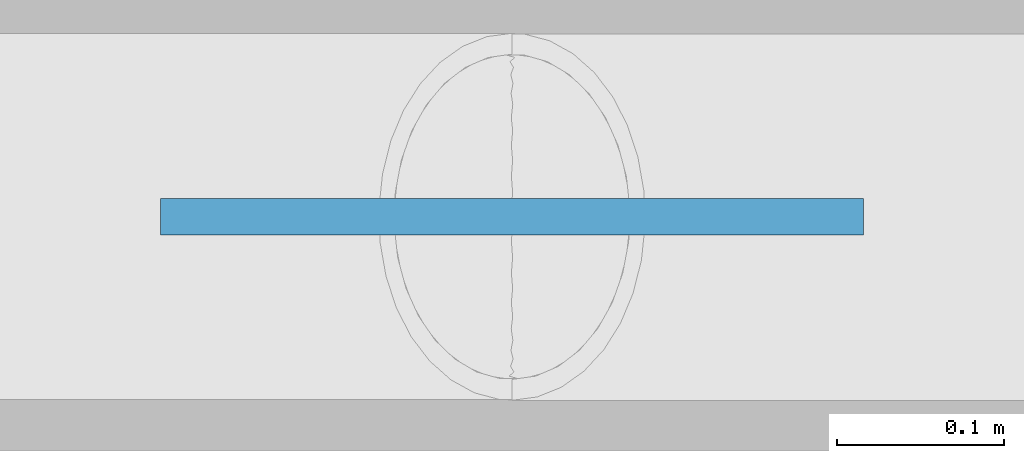
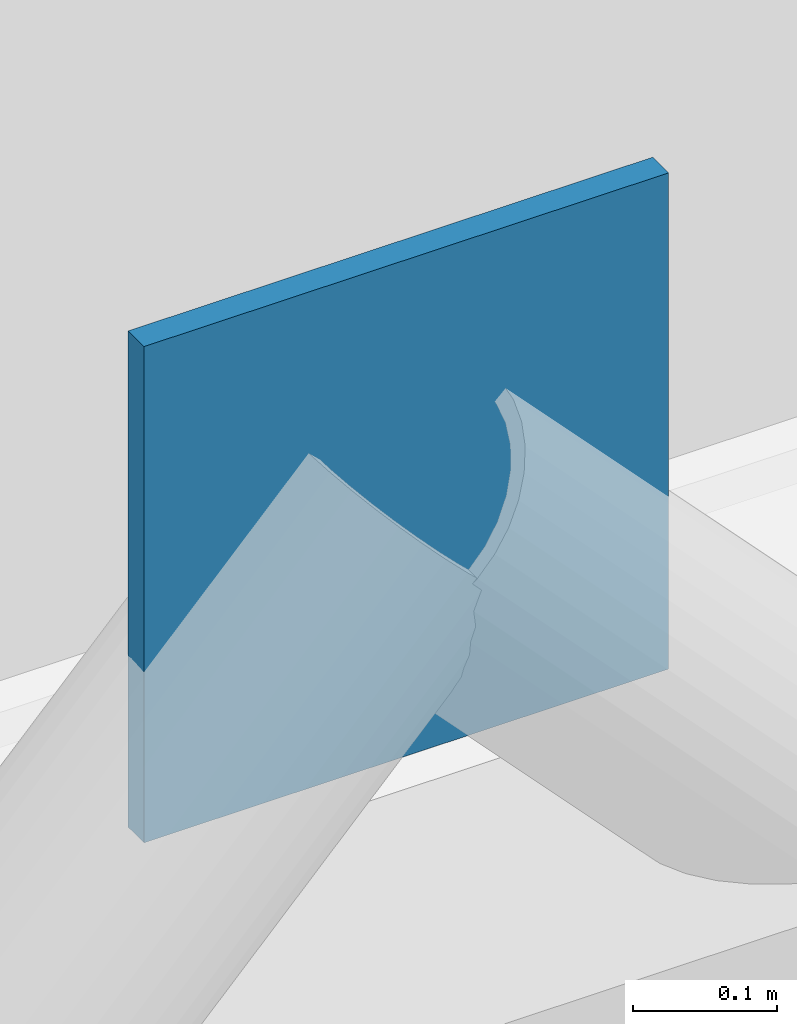
# One storey, part 87 of 141: 1 plate.
"""IFC4 building model written with IfcOpenShell, lengths in metres."""

from ifc_helpers import new_model, si_unit, direction, frame, origin, origin_2d, place, context, subcontext, project, spatial, rectangle, extrude, material, layer, layer_set, type_object, element, save


model = new_model("IFC4")

# Units and contexts
model_context = context("Model", 3, precision=1e-05, world=origin(), true_north=direction((0.0, 1.0)))
body_context = subcontext(model_context, "Body", "Model", "MODEL_VIEW")
ifc_project = project(units=[si_unit("LENGTHUNIT", "METRE"), si_unit("AREAUNIT", "SQUARE_METRE"), si_unit("VOLUMEUNIT", "CUBIC_METRE"), si_unit("PLANEANGLEUNIT", "RADIAN"), si_unit("MASSUNIT", "GRAM", prefix="KILO")], contexts=[model_context])

# Site, building, storey
site_placement = place(None, origin())
site = spatial("IfcSite", under=ifc_project, at=site_placement, CompositionType="ELEMENT")
building_placement = place(site_placement, origin())
building = spatial("IfcBuilding", under=site, at=building_placement, Name="Khelvaren Railside Concert Hall", CompositionType="ELEMENT")
storey_placement = place(building_placement, frame((0.0, 0.0, 10.199951171875)))
storey = spatial("IfcBuildingStorey", under=building, at=storey_placement, Name="L02", CompositionType="ELEMENT", Elevation=10.199951171875)

# Plate
ifc_material = material(Name="Steel S355", Category="steel")
ifc_layer = layer(ifc_material, 0.02197265625)
ifc_layer_set = layer_set([ifc_layer], Name="Steel S355")
plate_type = type_object("IfcPlateType", Name="STP73", PredefinedType="USERDEFINED", material=ifc_layer_set)
plate_placement = place(storey_placement, frame((156.0, 0.0, 4.06005859375), z_axis=(0.0, 0.0, 1.0), x_axis=(1.0, 0.0, 0.0)))
element("IfcPlate", 1, at=plate_placement, inside=storey, type_object=plate_type, Name="V2 L02 Brace Apex Stiffener Plate 54", ObjectType="STIFFENER PLATE", PredefinedType="USERDEFINED", context=body_context, shape_type="SweptSolid", body=[
    extrude(rectangle(XDim=0.419921875, YDim=0.02197265625, at=origin_2d()), origin(), (0.0, 0.0, 1.0), 0.419921875),
])

save(model, "model.ifc")
